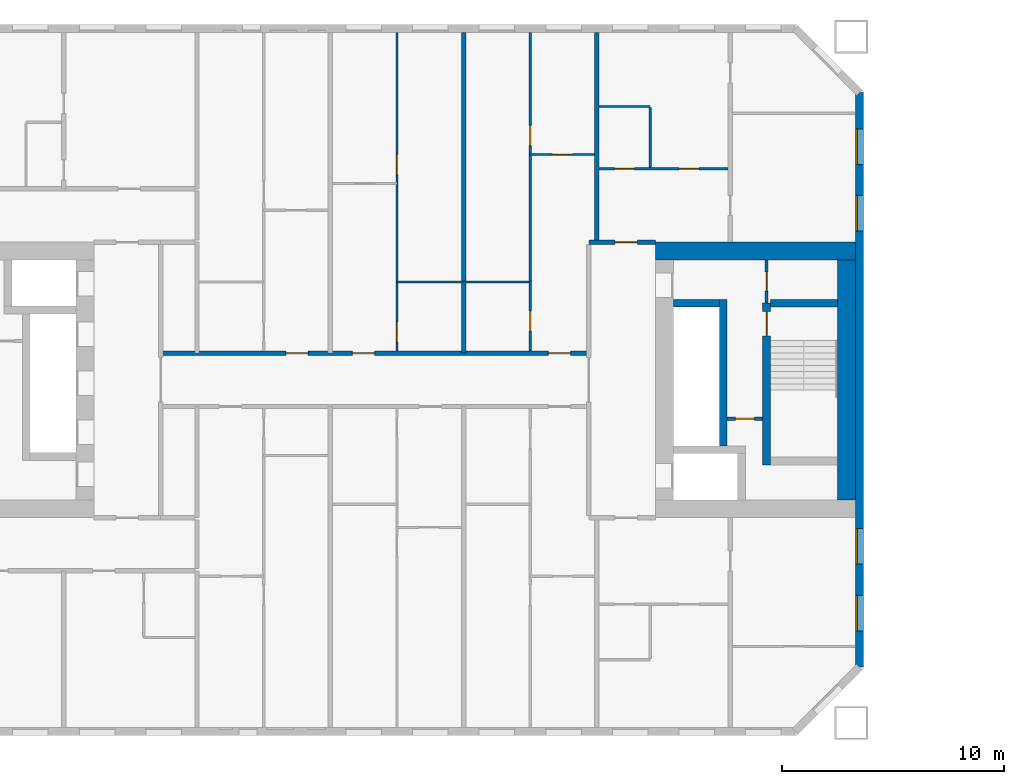
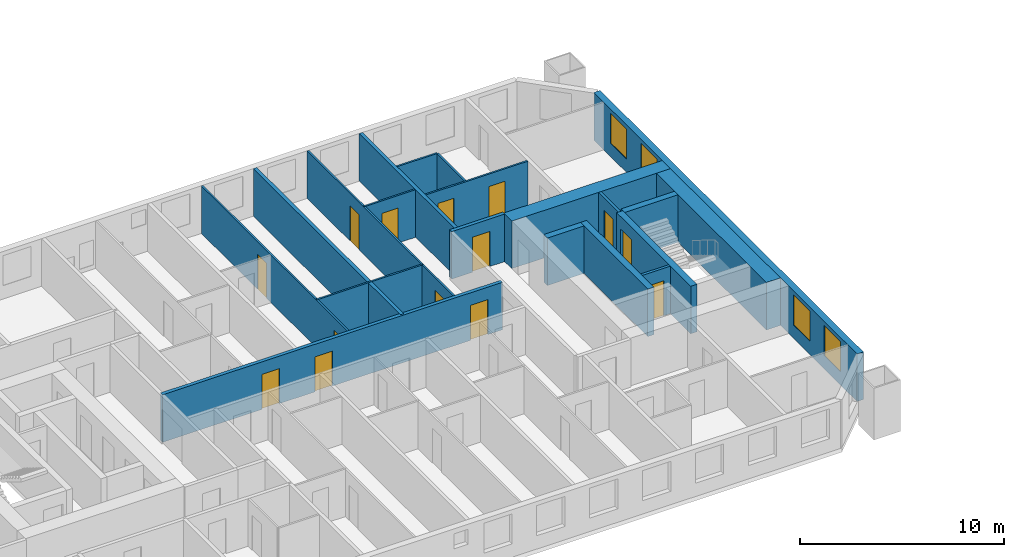
# One storey, part 7 of 16: 20 walls, 14 doors, 4 windows, 18 openings.
"""IFC4 building model written with IfcOpenShell, lengths in metres."""

import ifcopenshell
import ifcopenshell.guid

model = None  # the IFC model being written
_history = None  # IfcOwnerHistory: only IFC2X3 demands one
_inside = {}  # id of a spatial element -> (the spatial element, [elements in it])
_under = {}  # id of a project, library or spatial element -> (it, [spatial elements below it])
_declared = {}  # id of a project -> (the project, [libraries it declares])
_typed = {}  # id of a type object -> (the type object, [elements of that type])
_made_of = {}  # id of a material, layer set ... -> (it, [elements and type objects made of it])


def new_model(schema):
    """Start an empty IFC model of exactly this schema.

    Asked for "IFC4X3", IfcOpenShell would pick the latest addendum, in which some entities
    have other attributes; the version numbers below select the first issue.
    IFC2X3 requires an IfcOwnerHistory on every rooted entity: one is made here for all.
    """
    global model, _history
    if schema == "IFC4X3":
        model = ifcopenshell.file(schema_version=(4, 3, 0, 0))
    else:
        model = ifcopenshell.file(schema=schema)
    _inside.clear()
    _under.clear()
    _declared.clear()
    _typed.clear()
    _made_of.clear()
    _history = None
    if model.schema == "IFC2X3":
        org = make("IfcOrganization", Name="unknown")
        user = make(
            "IfcPersonAndOrganization",
            ThePerson=make("IfcPerson", FamilyName="unknown"),
            TheOrganization=org,
        )
        app = make(
            "IfcApplication",
            ApplicationDeveloper=org,
            Version="unknown",
            ApplicationFullName="unknown",
            ApplicationIdentifier="unknown",
        )
        _history = make(
            "IfcOwnerHistory",
            OwningUser=user,
            OwningApplication=app,
            ChangeAction="ADDED",
            CreationDate=0,
        )
    return model


def make(cls, **values):
    """One entity of the class cls with the attributes given. An attribute that is None is left unset."""
    return model.create_entity(
        cls, **{name: value for name, value in values.items() if value is not None}
    )


def rooted(cls, **values):
    """An entity with a GlobalId (a new one), such as an element, a storey or a relation."""
    return make(cls, GlobalId=ifcopenshell.guid.new(), OwnerHistory=_history, **values)


def si_unit(unit_type, name, prefix=None):
    """IfcSIUnit, for example si_unit("LENGTHUNIT", "METRE", prefix="MILLI")."""
    return make("IfcSIUnit", UnitType=unit_type, Prefix=prefix, Name=name)


def assignment(units):
    """IfcUnitAssignment: the units of a project."""
    return None if units is None else make("IfcUnitAssignment", Units=units)


def point(xyz):
    """IfcCartesianPoint."""
    return None if xyz is None else make("IfcCartesianPoint", Coordinates=xyz)


def direction(xyz):
    """IfcDirection."""
    return None if xyz is None else make("IfcDirection", DirectionRatios=xyz)


def frame(location, z_axis=None, x_axis=None):
    """IfcAxis2Placement3D, a coordinate frame: its origin and axes. An axis left out is left unset."""
    return make(
        "IfcAxis2Placement3D",
        Location=point(location),
        Axis=direction(z_axis),
        RefDirection=direction(x_axis),
    )


def frame_2d(location, x_axis=None):
    """IfcAxis2Placement2D, a coordinate frame in the plane: its origin and x axis."""
    return make(
        "IfcAxis2Placement2D", Location=point(location), RefDirection=direction(x_axis)
    )


def origin():
    """The frame at (0, 0, 0) with its axes left unset."""
    return frame((0.0, 0.0, 0.0))


def place(relative_to, where):
    """IfcLocalPlacement: puts the frame where relative to a parent placement (None: the world)."""
    return make(
        "IfcLocalPlacement", PlacementRelTo=relative_to, RelativePlacement=where
    )


def context(
    kind, dimensions, precision=None, world=None, true_north=None, identifier=None
):
    """IfcGeometricRepresentationContext, for example the 3D "Model" context."""
    return make(
        "IfcGeometricRepresentationContext",
        ContextIdentifier=identifier,
        ContextType=kind,
        CoordinateSpaceDimension=dimensions,
        Precision=precision,
        WorldCoordinateSystem=world,
        TrueNorth=true_north,
    )


def subcontext(parent, identifier, kind, view, scale=None):
    """IfcGeometricRepresentationSubContext, for example "Body" below "Model"."""
    return make(
        "IfcGeometricRepresentationSubContext",
        ContextIdentifier=identifier,
        ContextType=kind,
        ParentContext=parent,
        TargetScale=scale,
        TargetView=view,
    )


def project(units=None, contexts=None):
    """IfcProject with its units and contexts."""
    return rooted(
        "IfcProject",
        Name="project",
        RepresentationContexts=contexts,
        UnitsInContext=assignment(units),
    )


def spatial(cls, under=None, at=None, **own):
    """A site, building, storey or space (cls), placed at a placement, below another one or the project."""
    s = rooted(cls, ObjectPlacement=at, **own)
    if under is not None:
        _under.setdefault(under.id(), (under, []))[1].append(s)
    return s


def profile(cls, at=None, kind="AREA", **sizes):
    """A parametric profile (cls). Its sizes go by their IFC names, for example OverallWidth=200.0."""
    return make(cls, ProfileType=kind, Position=at, **sizes)


def rectangle(**sizes):
    """IfcRectangleProfileDef."""
    return profile("IfcRectangleProfileDef", **sizes)


def extrude(swept, where, along, depth):
    """IfcExtrudedAreaSolid: the profile swept, set in the frame where, extruded along a direction by depth."""
    return make(
        "IfcExtrudedAreaSolid",
        SweptArea=swept,
        Position=where,
        ExtrudedDirection=direction(along),
        Depth=depth,
    )


def shape(context_of_items, identifier, shape_type, items):
    """IfcShapeRepresentation: the items that make up one representation, for example the "Body"."""
    return make(
        "IfcShapeRepresentation",
        ContextOfItems=context_of_items,
        RepresentationIdentifier=identifier,
        RepresentationType=shape_type,
        Items=items,
    )


def material(Name=None, Category=None):
    """IfcMaterial."""
    return make("IfcMaterial", Name=Name, Category=Category)


def layer(
    of_material, thickness, ventilated=None, Name=None, Category=None, Priority=None
):
    """IfcMaterialLayer: one layer of a wall or slab, of a material (None: an air gap)."""
    return make(
        "IfcMaterialLayer",
        Material=of_material,
        LayerThickness=thickness,
        IsVentilated=ventilated,
        Name=Name,
        Category=Category,
        Priority=Priority,
    )


def layer_set(layers, Name=None):
    """IfcMaterialLayerSet."""
    return make("IfcMaterialLayerSet", MaterialLayers=layers, LayerSetName=Name)


def made_of(thing, what):
    """Note that an element or type object is made of a material, layer set ...; save() writes the relation."""
    if what is not None:
        _made_of.setdefault(what.id(), (what, []))[1].append(thing)
    return thing


def type_object(cls, material=None, **own):
    """A type object (cls), such as IfcWallType, which elements share."""
    return made_of(rooted(cls, **own), material)


def element(
    cls,
    number,
    at=None,
    inside=None,
    cuts=None,
    type_object=None,
    material=None,
    context=None,
    identifier="Body",
    shape_type=None,
    held_by="IfcProductDefinitionShape",
    body=None,
    shapes=None,
    **own,
):
    """One element of the class cls, such as IfcWall. Its Tag is "e" and its number.

    at: its placement. inside: the storey or other place that contains it. cuts: it is an
    opening in that element (IfcRelVoidsElement). A single representation is given by context,
    identifier, shape_type and body (its items); several are given by shapes. held_by: the class
    of the entity that holds the representations. save() writes the other relations.
    """
    e = rooted(cls, Tag="e%d" % number, ObjectPlacement=at, **own)
    if body is not None:
        shapes = [shape(context, identifier, shape_type, body)]
    if shapes is not None:
        e.Representation = make(held_by, Representations=shapes)
    if inside is not None:
        _inside.setdefault(inside.id(), (inside, []))[1].append(e)
    if cuts is not None:
        rooted(
            "IfcRelVoidsElement", RelatingBuildingElement=cuts, RelatedOpeningElement=e
        )
    if type_object is not None:
        _typed.setdefault(type_object.id(), (type_object, []))[1].append(e)
    return made_of(e, material)


def fill(opening, filler):
    """IfcRelFillsElement: the door or window that sits in an opening."""
    return rooted(
        "IfcRelFillsElement",
        RelatingOpeningElement=opening,
        RelatedBuildingElement=filler,
    )


def aggregate(whole, parts):
    """IfcRelAggregates: a whole, such as a stair, and the parts it consists of."""
    return rooted("IfcRelAggregates", RelatingObject=whole, RelatedObjects=parts)


def save(model, path):
    """Write the relations noted so far, then the file.

    IfcRelAggregates (storeys below a building ...), IfcRelContainedInSpatialStructure (elements
    in a storey), IfcRelDefinesByType, IfcRelAssociatesMaterial and IfcRelDeclares: one each for
    every whole, place, type object, material and project.
    """
    for whole, parts in _under.values():
        aggregate(whole, parts)
    for where, things in _inside.values():
        rooted(
            "IfcRelContainedInSpatialStructure",
            RelatedElements=things,
            RelatingStructure=where,
        )
    for kind, things in _typed.values():
        rooted("IfcRelDefinesByType", RelatedObjects=things, RelatingType=kind)
    for what, things in _made_of.values():
        rooted("IfcRelAssociatesMaterial", RelatedObjects=things, RelatingMaterial=what)
    for by, libraries in _declared.values():
        rooted("IfcRelDeclares", RelatingContext=by, RelatedDefinitions=libraries)
    model.write(path)


model = new_model("IFC4")

# Units and contexts
model_context = context("Model", 3, precision=1e-05, world=origin(), true_north=direction((0.0, 1.0)))
body_context = subcontext(model_context, "Body", "Model", "MODEL_VIEW")
ifc_project = project(units=[si_unit("LENGTHUNIT", "METRE"), si_unit("AREAUNIT", "SQUARE_METRE"), si_unit("VOLUMEUNIT", "CUBIC_METRE"), si_unit("PLANEANGLEUNIT", "RADIAN"), si_unit("MASSUNIT", "GRAM", prefix="KILO")], contexts=[model_context])

# Site, building, storey
site_placement = place(None, origin())
site = spatial("IfcSite", under=ifc_project, at=site_placement, CompositionType="ELEMENT")
building_placement = place(site_placement, origin())
building = spatial("IfcBuilding", under=site, at=building_placement, Name="Tuart Gate Housing", CompositionType="ELEMENT")
storey_placement = place(building_placement, frame((0.0, 0.0, 59.800048828125)))
storey = spatial("IfcBuildingStorey", under=building, at=storey_placement, Name="L16", CompositionType="ELEMENT", Elevation=59.800048828125)

# Wall, openings, windows
ifc_material_1 = material(Name="Brick", Category="masonry")
ifc_layer_1 = layer(ifc_material_1, 0.360107421875)
ifc_layer_set_1 = layer_set([ifc_layer_1], Name="Brick pier and spandrel wall 360")
wall_type_1 = type_object("IfcWallType", Name="Brick pier and spandrel wall 360", PredefinedType="STANDARD", material=ifc_layer_set_1)
wall_1_placement = place(storey_placement, frame((75.820068359375, 57.07470703125, 0.0), z_axis=(0.0, 0.0, 1.0), x_axis=(0.0, 1.0, 0.0)))
wall_1 = element("IfcWall", 1, at=wall_1_placement, inside=storey, type_object=wall_type_1, Name="External wall A-E L16", PredefinedType="STANDARD", context=body_context, shape_type="SweptSolid", body=[
    extrude(rectangle(XDim=25.850830078125, YDim=0.360107421875, at=frame_2d((12.92529296875, 0.0))), origin(), (0.0, 0.0, 1.0), 2.849853515625),
])
opening_1_placement = place(wall_1_placement, frame((1.62548828125, 0.0, 0.800048828125)))
opening_1 = element("IfcOpeningElement", 2, at=opening_1_placement, cuts=wall_1, Name="Opening W1", PredefinedType="OPENING", context=body_context, shape_type="SweptSolid", body=[
    extrude(rectangle(XDim=1.60009765625, YDim=1.800048828125, at=frame_2d((0.800048828125, 0.89990234375))), frame((0.0, 0.18994140625, 0.0), z_axis=(0.0, -1.0, 0.0), x_axis=(1.0, 0.0, 0.0)), (0.0, 0.0, 1.0), 0.380126953125),
])
opening_2_placement = place(wall_1_placement, frame((4.62548828125, 0.0, 0.800048828125)))
opening_2 = element("IfcOpeningElement", 3, at=opening_2_placement, cuts=wall_1, Name="Opening W1", PredefinedType="OPENING", context=body_context, shape_type="SweptSolid", body=[
    extrude(rectangle(XDim=1.60009765625, YDim=1.800048828125, at=frame_2d((0.800048828125, 0.89990234375))), frame((0.0, 0.18994140625, 0.0), z_axis=(0.0, -1.0, 0.0), x_axis=(1.0, 0.0, 0.0)), (0.0, 0.0, 1.0), 0.380126953125),
])
opening_3_placement = place(wall_1_placement, frame((19.62548828125, 0.0, 0.800048828125)))
opening_3 = element("IfcOpeningElement", 4, at=opening_3_placement, cuts=wall_1, Name="Opening W1", PredefinedType="OPENING", context=body_context, shape_type="SweptSolid", body=[
    extrude(rectangle(XDim=1.60009765625, YDim=1.800048828125, at=frame_2d((0.800048828125, 0.89990234375))), frame((0.0, 0.18994140625, 0.0), z_axis=(0.0, -1.0, 0.0), x_axis=(1.0, 0.0, 0.0)), (0.0, 0.0, 1.0), 0.380126953125),
])
opening_4_placement = place(wall_1_placement, frame((22.62548828125, 0.0, 0.800048828125)))
opening_4 = element("IfcOpeningElement", 5, at=opening_4_placement, cuts=wall_1, Name="Opening W1", PredefinedType="OPENING", context=body_context, shape_type="SweptSolid", body=[
    extrude(rectangle(XDim=1.60009765625, YDim=1.800048828125, at=frame_2d((0.800048828125, 0.89990234375))), frame((0.0, 0.18994140625, 0.0), z_axis=(0.0, -1.0, 0.0), x_axis=(1.0, 0.0, 0.0)), (0.0, 0.0, 1.0), 0.380126953125),
])
ifc_material_2 = material(Name="Aluminium frame with clear glass", Category="aluminium")
window_type = type_object("IfcWindowType", Name="Punched window 1600 x 1800", PartitioningType="SINGLE_PANEL", PredefinedType="WINDOW", material=ifc_material_2)
window_1_placement = place(opening_1_placement, origin())
window_1 = element("IfcWindow", 6, at=window_1_placement, inside=storey, type_object=window_type, Name="Window W1", OverallHeight=1.800048828125, OverallWidth=1.60009765625, PartitioningType="SINGLE_PANEL", PredefinedType="WINDOW", context=body_context, shape_type="SweptSolid", body=[
    extrude(rectangle(XDim=1.60009765625, YDim=1.800048828125, at=frame_2d((0.800048828125, 0.89990234375))), frame((0.0, 0.150146484375, 0.0), z_axis=(0.0, -1.0, 0.0), x_axis=(1.0, 0.0, 0.0)), (0.0, 0.0, 1.0), 0.06005859375),
])
fill(opening_1, window_1)
window_2_placement = place(opening_2_placement, origin())
window_2 = element("IfcWindow", 7, at=window_2_placement, inside=storey, type_object=window_type, Name="Window W1", OverallHeight=1.800048828125, OverallWidth=1.60009765625, PartitioningType="SINGLE_PANEL", PredefinedType="WINDOW", context=body_context, shape_type="SweptSolid", body=[
    extrude(rectangle(XDim=1.60009765625, YDim=1.800048828125, at=frame_2d((0.800048828125, 0.89990234375))), frame((0.0, 0.150146484375, 0.0), z_axis=(0.0, -1.0, 0.0), x_axis=(1.0, 0.0, 0.0)), (0.0, 0.0, 1.0), 0.06005859375),
])
fill(opening_2, window_2)
window_3_placement = place(opening_3_placement, origin())
window_3 = element("IfcWindow", 8, at=window_3_placement, inside=storey, type_object=window_type, Name="Window W1", OverallHeight=1.800048828125, OverallWidth=1.60009765625, PartitioningType="SINGLE_PANEL", PredefinedType="WINDOW", context=body_context, shape_type="SweptSolid", body=[
    extrude(rectangle(XDim=1.60009765625, YDim=1.800048828125, at=frame_2d((0.800048828125, 0.89990234375))), frame((0.0, 0.150146484375, 0.0), z_axis=(0.0, -1.0, 0.0), x_axis=(1.0, 0.0, 0.0)), (0.0, 0.0, 1.0), 0.06005859375),
])
fill(opening_3, window_3)
window_4_placement = place(opening_4_placement, origin())
window_4 = element("IfcWindow", 9, at=window_4_placement, inside=storey, type_object=window_type, Name="Window W1", OverallHeight=1.800048828125, OverallWidth=1.60009765625, PartitioningType="SINGLE_PANEL", PredefinedType="WINDOW", context=body_context, shape_type="SweptSolid", body=[
    extrude(rectangle(XDim=1.60009765625, YDim=1.800048828125, at=frame_2d((0.800048828125, 0.89990234375))), frame((0.0, 0.150146484375, 0.0), z_axis=(0.0, -1.0, 0.0), x_axis=(1.0, 0.0, 0.0)), (0.0, 0.0, 1.0), 0.06005859375),
])
fill(opening_4, window_4)

# Wall, opening, door
ifc_material_3 = material(Name="Plasterboard partition")
ifc_layer_2 = layer(ifc_material_3, 0.14990234375)
ifc_layer_set_2 = layer_set([ifc_layer_2], Name="Core partition 150")
wall_type_2 = type_object("IfcWallType", Name="Core partition 150", PredefinedType="PARTITIONING", material=ifc_layer_set_2)
wall_2_placement = place(storey_placement, frame((69.864990234375, 68.25, 0.0), z_axis=(0.0, 0.0, 1.0), x_axis=(1.0, 0.0, 0.0)))
wall_2 = element("IfcWall", 10, at=wall_2_placement, inside=storey, type_object=wall_type_2, Name="Core partition AG.3", PredefinedType="PARTITIONING", context=body_context, shape_type="SweptSolid", body=[
    extrude(rectangle(XDim=1.60009765625, YDim=0.14990234375, at=frame_2d((0.800048828125, 0.0))), origin(), (0.0, 0.0, 1.0), 2.849853515625),
])
opening_5_placement = place(wall_2_placement, frame((0.375, 0.0, 0.0)))
opening_5 = element("IfcOpeningElement", 11, at=opening_5_placement, cuts=wall_2, Name="Opening D752", PredefinedType="OPENING", context=body_context, shape_type="SweptSolid", body=[
    extrude(rectangle(XDim=0.85009765625, YDim=2.10009765625, at=frame_2d((0.425048828125, 1.050048828125))), frame((0.0, 0.0849609375, 0.0), z_axis=(0.0, -1.0, 0.0), x_axis=(1.0, 0.0, 0.0)), (0.0, 0.0, 1.0), 0.169921875),
])
ifc_material_4 = material(Name="Steel fire door", Category="steel")
door_type_1 = type_object("IfcDoorType", Name="Riser door 850 x 2100 RH", OperationType="SINGLE_SWING_RIGHT", PredefinedType="DOOR", material=ifc_material_4)
door_1_placement = place(opening_5_placement, frame((0.85009765625, 0.0, 0.0), z_axis=(0.0, 0.0, 1.0), x_axis=(-1.0, 0.0, 0.0)))
door_1 = element("IfcDoor", 12, at=door_1_placement, inside=storey, type_object=door_type_1, Name="Service room door AG.E1", OperationType="SINGLE_SWING_RIGHT", OverallHeight=2.10009765625, OverallWidth=0.85009765625, PredefinedType="DOOR", context=body_context, shape_type="SweptSolid", body=[
    extrude(rectangle(XDim=0.85009765625, YDim=2.10009765625, at=frame_2d((0.425048828125, 1.050048828125))), frame((0.0, 0.025146484375, 0.0), z_axis=(0.0, -1.0, 0.0), x_axis=(1.0, 0.0, 0.0)), (0.0, 0.0, 1.0), 0.050048828125),
])
fill(opening_5, door_1)

wall_3_placement = place(storey_placement, frame((71.639892578125, 73.449951171875, 0.0), z_axis=(0.0, 0.0, 1.0), x_axis=(0.0, 1.0, 0.0)))
wall_3 = element("IfcWall", 13, at=wall_3_placement, inside=storey, type_object=wall_type_2, Name="Core partition AG.9", PredefinedType="PARTITIONING", context=body_context, shape_type="SweptSolid", body=[
    extrude(rectangle(XDim=1.949951171875, YDim=0.14990234375, at=frame_2d((0.97509765625, 0.0))), origin(), (0.0, 0.0, 1.0), 2.849853515625),
])
opening_6_placement = place(wall_3_placement, frame((0.550048828125, 0.0, 0.0)))
opening_6 = element("IfcOpeningElement", 14, at=opening_6_placement, cuts=wall_3, Name="Opening D737", PredefinedType="OPENING", context=body_context, shape_type="SweptSolid", body=[
    extrude(rectangle(XDim=0.85009765625, YDim=2.10009765625, at=frame_2d((0.425048828125, 1.050048828125))), frame((0.0, 0.0849609375, 0.0), z_axis=(0.0, -1.0, 0.0), x_axis=(1.0, 0.0, 0.0)), (0.0, 0.0, 1.0), 0.169921875),
])
ifc_material_5 = material(Name="Steel fire door", Category="steel")
door_type_2 = type_object("IfcDoorType", Name="Service door 850 x 2100 RH", OperationType="SINGLE_SWING_RIGHT", PredefinedType="DOOR", material=ifc_material_5)
door_2_placement = place(opening_6_placement, frame((0.85009765625, 0.0, 0.0), z_axis=(0.0, 0.0, 1.0), x_axis=(-1.0, 0.0, 0.0)))
door_2 = element("IfcDoor", 15, at=door_2_placement, inside=storey, type_object=door_type_2, Name="Service room door AG.ST", OperationType="SINGLE_SWING_RIGHT", OverallHeight=2.10009765625, OverallWidth=0.85009765625, PredefinedType="DOOR", context=body_context, shape_type="SweptSolid", body=[
    extrude(rectangle(XDim=0.85009765625, YDim=2.10009765625, at=frame_2d((0.425048828125, 1.050048828125))), frame((0.0, 0.025146484375, 0.0), z_axis=(0.0, -1.0, 0.0), x_axis=(1.0, 0.0, 0.0)), (0.0, 0.0, 1.0), 0.050048828125),
])
fill(opening_6, door_2)

# Walls
ifc_material_6 = material(Name="Concrete C60", Category="concrete")
ifc_layer_3 = layer(ifc_material_6, 0.35009765625)
ifc_layer_set_3 = layer_set([ifc_layer_3], Name="Core wall 350 C60")
wall_type_3 = type_object("IfcWallType", Name="Core wall 350 C60", PredefinedType="SHEAR", material=ifc_layer_set_3)
wall_4_placement = place(storey_placement, frame((67.43994140625, 73.449951171875, 0.0), z_axis=(0.0, 0.0, 1.0), x_axis=(1.0, 0.0, 0.0)))
element("IfcWall", 16, at=wall_4_placement, inside=storey, type_object=wall_type_3, Name="Core wall AG.4", PredefinedType="SHEAR", context=body_context, shape_type="SweptSolid", body=[
    extrude(rectangle(XDim=2.074951171875, YDim=0.35009765625, at=frame_2d((1.03759765625, 0.0))), origin(), (0.0, 0.0, 1.0), 2.849853515625),
])
wall_5_placement = place(storey_placement, frame((71.81494140625, 73.449951171875, 0.0), z_axis=(0.0, 0.0, 1.0), x_axis=(1.0, 0.0, 0.0)))
element("IfcWall", 17, at=wall_5_placement, inside=storey, type_object=wall_type_3, Name="Core wall AG.5", PredefinedType="SHEAR", context=body_context, shape_type="SweptSolid", body=[
    extrude(rectangle(XDim=3.025146484375, YDim=0.35009765625, at=frame_2d((1.5126953125, 0.0))), origin(), (0.0, 0.0, 1.0), 2.849853515625),
])
wall_6_placement = place(storey_placement, frame((69.68994140625, 67.02490234375, 0.0), z_axis=(0.0, 0.0, 1.0), x_axis=(0.0, 1.0, 0.0)))
element("IfcWall", 18, at=wall_6_placement, inside=storey, type_object=wall_type_3, Name="Core wall AG.6", PredefinedType="SHEAR", context=body_context, shape_type="SweptSolid", body=[
    extrude(rectangle(XDim=6.60009765625, YDim=0.35009765625, at=frame_2d((3.300048828125, 0.0))), origin(), (0.0, 0.0, 1.0), 2.849853515625),
])

# Wall, opening, door
wall_7_placement = place(storey_placement, frame((71.639892578125, 66.175048828125, 0.0), z_axis=(0.0, 0.0, 1.0), x_axis=(0.0, 1.0, 0.0)))
wall_7 = element("IfcWall", 19, at=wall_7_placement, inside=storey, type_object=wall_type_3, Name="Core wall AG.8", PredefinedType="SHEAR", context=body_context, shape_type="SweptSolid", body=[
    extrude(rectangle(XDim=7.27490234375, YDim=0.35009765625, at=frame_2d((3.637451171875, 0.0))), origin(), (0.0, 0.0, 1.0), 2.849853515625),
])
opening_7_placement = place(wall_7_placement, frame((5.800048828125, 0.0, 0.0)))
opening_7 = element("IfcOpeningElement", 20, at=opening_7_placement, cuts=wall_7, Name="Opening D748", PredefinedType="OPENING", context=body_context, shape_type="SweptSolid", body=[
    extrude(rectangle(XDim=1.10009765625, YDim=2.10009765625, at=frame_2d((0.550048828125, 1.050048828125))), frame((0.0, 0.18505859375, 0.0), z_axis=(0.0, -1.0, 0.0), x_axis=(1.0, 0.0, 0.0)), (0.0, 0.0, 1.0), 0.3701171875),
])
ifc_material_7 = material(Name="Steel fire door", Category="steel")
door_type_3 = type_object("IfcDoorType", Name="Stair door 1100 x 2100", OperationType="SINGLE_SWING_LEFT", PredefinedType="DOOR", material=ifc_material_7)
door_3_placement = place(opening_7_placement, frame((1.10009765625, 0.0, 0.0), z_axis=(0.0, 0.0, 1.0), x_axis=(-1.0, 0.0, 0.0)))
door_3 = element("IfcDoor", 21, at=door_3_placement, inside=storey, type_object=door_type_3, Name="Stair door AG.SD", OperationType="SINGLE_SWING_LEFT", OverallHeight=2.10009765625, OverallWidth=1.10009765625, PredefinedType="DOOR", context=body_context, shape_type="SweptSolid", body=[
    extrude(rectangle(XDim=1.10009765625, YDim=2.10009765625, at=frame_2d((0.550048828125, 1.050048828125))), frame((0.0, 0.025146484375, 0.0), z_axis=(0.0, -1.0, 0.0), x_axis=(1.0, 0.0, 0.0)), (0.0, 0.0, 1.0), 0.050048828125),
])
fill(opening_7, door_3)

# Walls
ifc_material_8 = material(Name="Concrete C60", Category="concrete")
ifc_layer_4 = layer(ifc_material_8, 0.800048828125)
ifc_layer_set_4 = layer_set([ifc_layer_4], Name="Core wall 800 C60")
wall_type_4 = type_object("IfcWallType", Name="Core wall 800 C60", PredefinedType="SHEAR", material=ifc_layer_set_4)
wall_8_placement = place(storey_placement, frame((75.239990234375, 64.60009765625, 0.0), z_axis=(0.0, 0.0, 1.0), x_axis=(0.0, 1.0, 0.0)))
element("IfcWall", 22, at=wall_8_placement, inside=storey, type_object=wall_type_4, Name="Core wall AG back", PredefinedType="SHEAR", context=body_context, shape_type="SweptSolid", body=[
    extrude(rectangle(XDim=10.7998046875, YDim=0.800048828125, at=frame_2d((5.39990234375, 0.0))), origin(), (0.0, 0.0, 1.0), 2.849853515625),
])
wall_9_placement = place(storey_placement, frame((66.639892578125, 75.800048828125, 0.0), z_axis=(0.0, 0.0, 1.0), x_axis=(1.0, 0.0, 0.0)))
element("IfcWall", 23, at=wall_9_placement, inside=storey, type_object=wall_type_4, Name="Core wall AG north", PredefinedType="SHEAR", context=body_context, shape_type="SweptSolid", body=[
    extrude(rectangle(XDim=9.0, YDim=0.800048828125, at=frame_2d((4.5, 0.0))), origin(), (0.0, 0.0, 1.0), 2.849853515625),
])

# Wall, openings, doors
ifc_material_9 = material(Name="Concrete masonry 15 MPa", Category="masonry")
ifc_layer_5 = layer(ifc_material_9, 0.199951171875)
ifc_layer_set_5 = layer_set([ifc_layer_5], Name="Corridor wall masonry 200")
wall_type_5 = type_object("IfcWallType", Name="Corridor wall masonry 200", PredefinedType="PARTITIONING", material=ifc_layer_set_5)
wall_10_placement = place(storey_placement, frame((44.360107421875, 71.199951171875, 0.0), z_axis=(0.0, 0.0, 1.0), x_axis=(1.0, 0.0, 0.0)))
wall_10 = element("IfcWall", 24, at=wall_10_placement, inside=storey, type_object=wall_type_5, Name="Corridor wall masonry 200", PredefinedType="PARTITIONING", context=body_context, shape_type="SweptSolid", body=[
    extrude(rectangle(XDim=19.27978515625, YDim=0.199951171875, at=frame_2d((9.639892578125, 0.0))), origin(), (0.0, 0.0, 1.0), 2.849853515625),
])
opening_8_placement = place(wall_10_placement, frame((17.4599609375, 0.0, 0.0)))
opening_8 = element("IfcOpeningElement", 25, at=opening_8_placement, cuts=wall_10, Name="Opening D739", PredefinedType="OPENING", context=body_context, shape_type="SweptSolid", body=[
    extrude(rectangle(XDim=1.0, YDim=2.10009765625, at=frame_2d((0.5, 1.050048828125))), frame((0.0, 0.10986328125, 0.0), z_axis=(0.0, -1.0, 0.0), x_axis=(1.0, 0.0, 0.0)), (0.0, 0.0, 1.0), 0.219970703125),
])
opening_9_placement = place(wall_10_placement, frame((8.639892578125, 0.0, 0.0)))
opening_9 = element("IfcOpeningElement", 26, at=opening_9_placement, cuts=wall_10, Name="Opening D740", PredefinedType="OPENING", context=body_context, shape_type="SweptSolid", body=[
    extrude(rectangle(XDim=1.0, YDim=2.10009765625, at=frame_2d((0.5, 1.050048828125))), frame((0.0, 0.10986328125, 0.0), z_axis=(0.0, -1.0, 0.0), x_axis=(1.0, 0.0, 0.0)), (0.0, 0.0, 1.0), 0.219970703125),
])
opening_10_placement = place(wall_10_placement, frame((5.639892578125, 0.0, 0.0)))
opening_10 = element("IfcOpeningElement", 27, at=opening_10_placement, cuts=wall_10, Name="Opening D741", PredefinedType="OPENING", context=body_context, shape_type="SweptSolid", body=[
    extrude(rectangle(XDim=1.0, YDim=2.10009765625, at=frame_2d((0.5, 1.050048828125))), frame((0.0, 0.10986328125, 0.0), z_axis=(0.0, -1.0, 0.0), x_axis=(1.0, 0.0, 0.0)), (0.0, 0.0, 1.0), 0.219970703125),
])
ifc_material_10 = material(Name="Timber door leaf in steel frame", Category="steel")
door_type_4 = type_object("IfcDoorType", Name="Flat entrance door 1000", OperationType="SINGLE_SWING_LEFT", PredefinedType="DOOR", material=ifc_material_10)
door_4_placement = place(opening_8_placement, origin())
door_4 = element("IfcDoor", 28, at=door_4_placement, inside=storey, type_object=door_type_4, Name="Flat entrance door", OperationType="SINGLE_SWING_LEFT", OverallHeight=2.10009765625, OverallWidth=1.0, PredefinedType="DOOR", context=body_context, shape_type="SweptSolid", body=[
    extrude(rectangle(XDim=1.0, YDim=2.10009765625, at=frame_2d((0.5, 1.050048828125))), frame((0.0, 0.02490234375, 0.0), z_axis=(0.0, -1.0, 0.0), x_axis=(1.0, 0.0, 0.0)), (0.0, 0.0, 1.0), 0.050048828125),
])
fill(opening_8, door_4)
door_5_placement = place(opening_9_placement, origin())
door_5 = element("IfcDoor", 29, at=door_5_placement, inside=storey, type_object=door_type_4, Name="Flat entrance door", OperationType="SINGLE_SWING_LEFT", OverallHeight=2.10009765625, OverallWidth=1.0, PredefinedType="DOOR", context=body_context, shape_type="SweptSolid", body=[
    extrude(rectangle(XDim=1.0, YDim=2.10009765625, at=frame_2d((0.5, 1.050048828125))), frame((0.0, 0.02490234375, 0.0), z_axis=(0.0, -1.0, 0.0), x_axis=(1.0, 0.0, 0.0)), (0.0, 0.0, 1.0), 0.050048828125),
])
fill(opening_9, door_5)
door_6_placement = place(opening_10_placement, origin())
door_6 = element("IfcDoor", 30, at=door_6_placement, inside=storey, type_object=door_type_4, Name="Flat entrance door", OperationType="SINGLE_SWING_LEFT", OverallHeight=2.10009765625, OverallWidth=1.0, PredefinedType="DOOR", context=body_context, shape_type="SweptSolid", body=[
    extrude(rectangle(XDim=1.0, YDim=2.10009765625, at=frame_2d((0.5, 1.050048828125))), frame((0.0, 0.02490234375, 0.0), z_axis=(0.0, -1.0, 0.0), x_axis=(1.0, 0.0, 0.0)), (0.0, 0.0, 1.0), 0.050048828125),
])
fill(opening_10, door_6)

# Wall, opening, door
ifc_material_11 = material(Name="Concrete masonry 15 MPa", Category="masonry")
ifc_layer_6 = layer(ifc_material_11, 0.199951171875)
ifc_layer_set_6 = layer_set([ifc_layer_6], Name="Enclosure wall masonry 200")
wall_type_6 = type_object("IfcWallType", Name="Enclosure wall masonry 200", PredefinedType="PARTITIONING", material=ifc_layer_set_6)
wall_11_placement = place(storey_placement, frame((63.639892578125, 76.199951171875, 0.0), z_axis=(0.0, 0.0, 1.0), x_axis=(1.0, 0.0, 0.0)))
wall_11 = element("IfcWall", 31, at=wall_11_placement, inside=storey, type_object=wall_type_6, Name="Enclosure wall masonry 200", PredefinedType="PARTITIONING", context=body_context, shape_type="SweptSolid", body=[
    extrude(rectangle(XDim=3.0, YDim=0.199951171875, at=frame_2d((1.5, 0.0))), origin(), (0.0, 0.0, 1.0), 2.849853515625),
])
opening_11_placement = place(wall_11_placement, frame((1.179931640625, 0.0, 0.0)))
opening_11 = element("IfcOpeningElement", 32, at=opening_11_placement, cuts=wall_11, Name="Opening D736", PredefinedType="OPENING", context=body_context, shape_type="SweptSolid", body=[
    extrude(rectangle(XDim=1.0, YDim=2.10009765625, at=frame_2d((0.5, 1.050048828125))), frame((0.0, 0.10986328125, 0.0), z_axis=(0.0, -1.0, 0.0), x_axis=(1.0, 0.0, 0.0)), (0.0, 0.0, 1.0), 0.219970703125),
])
door_7_placement = place(opening_11_placement, origin())
door_7 = element("IfcDoor", 33, at=door_7_placement, inside=storey, type_object=door_type_4, Name="Flat entrance door", OperationType="SINGLE_SWING_LEFT", OverallHeight=2.10009765625, OverallWidth=1.0, PredefinedType="DOOR", context=body_context, shape_type="SweptSolid", body=[
    extrude(rectangle(XDim=1.0, YDim=2.10009765625, at=frame_2d((0.5, 1.050048828125))), frame((0.0, 0.02490234375, 0.0), z_axis=(0.0, -1.0, 0.0), x_axis=(1.0, 0.0, 0.0)), (0.0, 0.0, 1.0), 0.050048828125),
])
fill(opening_11, door_7)

# Wall
ifc_material_12 = material(Name="Gypsum board on steel studs", Category="steel")
ifc_layer_7 = layer(ifc_material_12, 0.10009765625)
ifc_layer_set_7 = layer_set([ifc_layer_7], Name="Partition 100")
wall_type_7 = type_object("IfcWallType", Name="Partition 100", PredefinedType="PARTITIONING", material=ifc_layer_set_7)
wall_12_placement = place(storey_placement, frame((55.0, 74.39990234375, 0.0), z_axis=(0.0, 0.0, 1.0), x_axis=(1.0, 0.0, 0.0)))
element("IfcWall", 34, at=wall_12_placement, inside=storey, type_object=wall_type_7, Name="Partition 100", PredefinedType="PARTITIONING", context=body_context, shape_type="SweptSolid", body=[
    extrude(rectangle(XDim=6.0, YDim=0.10009765625, at=frame_2d((3.0, 0.0))), origin(), (0.0, 0.0, 1.0), 2.849853515625),
])

# Wall, openings, doors
wall_13_placement = place(storey_placement, frame((64.10009765625, 79.5, 0.0), z_axis=(0.0, 0.0, 1.0), x_axis=(1.0, 0.0, 0.0)))
wall_13 = element("IfcWall", 35, at=wall_13_placement, inside=storey, type_object=wall_type_7, Name="Partition 100", PredefinedType="PARTITIONING", context=body_context, shape_type="SweptSolid", body=[
    extrude(rectangle(XDim=5.7998046875, YDim=0.10009765625, at=frame_2d((2.89990234375, 0.0))), origin(), (0.0, 0.0, 1.0), 2.849853515625),
])
opening_12_placement = place(wall_13_placement, frame((3.60009765625, 0.0, 0.0)))
opening_12 = element("IfcOpeningElement", 36, at=opening_12_placement, cuts=wall_13, Name="Opening D722", PredefinedType="OPENING", context=body_context, shape_type="SweptSolid", body=[
    extrude(rectangle(XDim=0.89990234375, YDim=2.10009765625, at=frame_2d((0.449951171875, 1.050048828125))), frame((0.0, 0.06005859375, 0.0), z_axis=(0.0, -1.0, 0.0), x_axis=(1.0, 0.0, 0.0)), (0.0, 0.0, 1.0), 0.1201171875),
])
opening_13_placement = place(wall_13_placement, frame((0.699951171875, 0.0, 0.0)))
opening_13 = element("IfcOpeningElement", 37, at=opening_13_placement, cuts=wall_13, Name="Opening D721", PredefinedType="OPENING", context=body_context, shape_type="SweptSolid", body=[
    extrude(rectangle(XDim=0.89990234375, YDim=2.10009765625, at=frame_2d((0.449951171875, 1.050048828125))), frame((0.0, 0.06005859375, 0.0), z_axis=(0.0, -1.0, 0.0), x_axis=(1.0, 0.0, 0.0)), (0.0, 0.0, 1.0), 0.1201171875),
])
ifc_material_13 = material(Name="Timber door leaf in steel frame", Category="steel")
door_type_5 = type_object("IfcDoorType", Name="Bathroom door 900 RH", OperationType="SINGLE_SWING_RIGHT", PredefinedType="DOOR", material=ifc_material_13)
door_8_placement = place(opening_13_placement, origin())
door_8 = element("IfcDoor", 38, at=door_8_placement, inside=storey, type_object=door_type_5, Name="Bathroom door", OperationType="SINGLE_SWING_RIGHT", OverallHeight=2.10009765625, OverallWidth=0.89990234375, PredefinedType="DOOR", context=body_context, shape_type="SweptSolid", body=[
    extrude(rectangle(XDim=0.89990234375, YDim=2.10009765625, at=frame_2d((0.449951171875, 1.050048828125))), frame((0.0, 0.02490234375, 0.0), z_axis=(0.0, -1.0, 0.0), x_axis=(1.0, 0.0, 0.0)), (0.0, 0.0, 1.0), 0.050048828125),
])
fill(opening_13, door_8)
ifc_material_14 = material(Name="Timber door leaf in steel frame", Category="steel")
door_type_6 = type_object("IfcDoorType", Name="Internal door 900", OperationType="SINGLE_SWING_LEFT", PredefinedType="DOOR", material=ifc_material_14)
door_9_placement = place(opening_12_placement, frame((0.89990234375, 0.0, 0.0), z_axis=(0.0, 0.0, 1.0), x_axis=(-1.0, 0.0, 0.0)))
door_9 = element("IfcDoor", 39, at=door_9_placement, inside=storey, type_object=door_type_6, Name="Internal door", OperationType="SINGLE_SWING_LEFT", OverallHeight=2.10009765625, OverallWidth=0.89990234375, PredefinedType="DOOR", context=body_context, shape_type="SweptSolid", body=[
    extrude(rectangle(XDim=0.89990234375, YDim=2.10009765625, at=frame_2d((0.449951171875, 1.050048828125))), frame((0.0, 0.025146484375, 0.0), z_axis=(0.0, -1.0, 0.0), x_axis=(1.0, 0.0, 0.0)), (0.0, 0.0, 1.0), 0.050048828125),
])
fill(opening_12, door_9)

# Wall, opening, door
wall_14_placement = place(storey_placement, frame((61.0, 80.139892578125, 0.0), z_axis=(0.0, 0.0, 1.0), x_axis=(1.0, 0.0, 0.0)))
wall_14 = element("IfcWall", 40, at=wall_14_placement, inside=storey, type_object=wall_type_7, Name="Partition 100", PredefinedType="PARTITIONING", context=body_context, shape_type="SweptSolid", body=[
    extrude(rectangle(XDim=2.89990234375, YDim=0.10009765625, at=frame_2d((1.449951171875, 0.0))), origin(), (0.0, 0.0, 1.0), 2.849853515625),
])
opening_14_placement = place(wall_14_placement, frame((1.0, 0.0, 0.0)))
opening_14 = element("IfcOpeningElement", 41, at=opening_14_placement, cuts=wall_14, Name="Opening D720", PredefinedType="OPENING", context=body_context, shape_type="SweptSolid", body=[
    extrude(rectangle(XDim=0.89990234375, YDim=2.10009765625, at=frame_2d((0.449951171875, 1.050048828125))), frame((0.0, 0.06005859375, 0.0), z_axis=(0.0, -1.0, 0.0), x_axis=(1.0, 0.0, 0.0)), (0.0, 0.0, 1.0), 0.1201171875),
])
ifc_material_15 = material(Name="Timber door leaf in steel frame", Category="steel")
door_type_7 = type_object("IfcDoorType", Name="Internal door 900 RH", OperationType="SINGLE_SWING_RIGHT", PredefinedType="DOOR", material=ifc_material_15)
door_10_placement = place(opening_14_placement, frame((0.89990234375, 0.0, 0.0), z_axis=(0.0, 0.0, 1.0), x_axis=(-1.0, 0.0, 0.0)))
door_10 = element("IfcDoor", 42, at=door_10_placement, inside=storey, type_object=door_type_7, Name="Internal door", OperationType="SINGLE_SWING_RIGHT", OverallHeight=2.10009765625, OverallWidth=0.89990234375, PredefinedType="DOOR", context=body_context, shape_type="SweptSolid", body=[
    extrude(rectangle(XDim=0.89990234375, YDim=2.10009765625, at=frame_2d((0.449951171875, 1.050048828125))), frame((0.0, 0.025146484375, 0.0), z_axis=(0.0, -1.0, 0.0), x_axis=(1.0, 0.0, 0.0)), (0.0, 0.0, 1.0), 0.050048828125),
])
fill(opening_14, door_10)

# Wall
wall_15_placement = place(storey_placement, frame((64.10009765625, 82.300048828125, 0.0), z_axis=(0.0, 0.0, 1.0), x_axis=(1.0, 0.0, 0.0)))
element("IfcWall", 43, at=wall_15_placement, inside=storey, type_object=wall_type_7, Name="Partition 100", PredefinedType="PARTITIONING", context=body_context, shape_type="SweptSolid", body=[
    extrude(rectangle(XDim=2.2998046875, YDim=0.10009765625, at=frame_2d((1.14990234375, 0.0))), origin(), (0.0, 0.0, 1.0), 2.849853515625),
])

# Wall, openings, doors
wall_16_placement = place(storey_placement, frame((55.0, 71.300048828125, 0.0), z_axis=(0.0, 0.0, 1.0), x_axis=(0.0, 1.0, 0.0)))
wall_16 = element("IfcWall", 44, at=wall_16_placement, inside=storey, type_object=wall_type_7, Name="Partition 100", PredefinedType="PARTITIONING", context=body_context, shape_type="SweptSolid", body=[
    extrude(rectangle(XDim=14.33984375, YDim=0.10009765625, at=frame_2d((7.169921875, 0.0))), origin(), (0.0, 0.0, 1.0), 2.849853515625),
])
opening_15_placement = place(wall_16_placement, frame((7.93994140625, 0.0, 0.0)))
opening_15 = element("IfcOpeningElement", 45, at=opening_15_placement, cuts=wall_16, Name="Opening D730", PredefinedType="OPENING", context=body_context, shape_type="SweptSolid", body=[
    extrude(rectangle(XDim=0.89990234375, YDim=2.10009765625, at=frame_2d((0.449951171875, 1.050048828125))), frame((0.0, 0.06005859375, 0.0), z_axis=(0.0, -1.0, 0.0), x_axis=(1.0, 0.0, 0.0)), (0.0, 0.0, 1.0), 0.1201171875),
])
opening_16_placement = place(wall_16_placement, frame((0.39990234375, 0.0, 0.0)))
opening_16 = element("IfcOpeningElement", 46, at=opening_16_placement, cuts=wall_16, Name="Opening D729", PredefinedType="OPENING", context=body_context, shape_type="SweptSolid", body=[
    extrude(rectangle(XDim=0.89990234375, YDim=2.10009765625, at=frame_2d((0.449951171875, 1.050048828125))), frame((0.0, 0.06005859375, 0.0), z_axis=(0.0, -1.0, 0.0), x_axis=(1.0, 0.0, 0.0)), (0.0, 0.0, 1.0), 0.1201171875),
])
door_11_placement = place(opening_16_placement, frame((0.89990234375, 0.0, 0.0), z_axis=(0.0, 0.0, 1.0), x_axis=(-1.0, 0.0, 0.0)))
door_11 = element("IfcDoor", 47, at=door_11_placement, inside=storey, type_object=door_type_5, Name="Bathroom door", OperationType="SINGLE_SWING_RIGHT", OverallHeight=2.10009765625, OverallWidth=0.89990234375, PredefinedType="DOOR", context=body_context, shape_type="SweptSolid", body=[
    extrude(rectangle(XDim=0.89990234375, YDim=2.10009765625, at=frame_2d((0.449951171875, 1.050048828125))), frame((0.0, 0.025146484375, 0.0), z_axis=(0.0, -1.0, 0.0), x_axis=(1.0, 0.0, 0.0)), (0.0, 0.0, 1.0), 0.050048828125),
])
fill(opening_16, door_11)
door_12_placement = place(opening_15_placement, frame((0.89990234375, 0.0, 0.0), z_axis=(0.0, 0.0, 1.0), x_axis=(-1.0, 0.0, 0.0)))
door_12 = element("IfcDoor", 48, at=door_12_placement, inside=storey, type_object=door_type_7, Name="Internal door", OperationType="SINGLE_SWING_RIGHT", OverallHeight=2.10009765625, OverallWidth=0.89990234375, PredefinedType="DOOR", context=body_context, shape_type="SweptSolid", body=[
    extrude(rectangle(XDim=0.89990234375, YDim=2.10009765625, at=frame_2d((0.449951171875, 1.050048828125))), frame((0.0, 0.025146484375, 0.0), z_axis=(0.0, -1.0, 0.0), x_axis=(1.0, 0.0, 0.0)), (0.0, 0.0, 1.0), 0.050048828125),
])
fill(opening_15, door_12)

wall_17_placement = place(storey_placement, frame((61.0, 71.300048828125, 0.0), z_axis=(0.0, 0.0, 1.0), x_axis=(0.0, 1.0, 0.0)))
wall_17 = element("IfcWall", 49, at=wall_17_placement, inside=storey, type_object=wall_type_7, Name="Partition 100", PredefinedType="PARTITIONING", context=body_context, shape_type="SweptSolid", body=[
    extrude(rectangle(XDim=14.33984375, YDim=0.10009765625, at=frame_2d((7.169921875, 0.0))), origin(), (0.0, 0.0, 1.0), 2.849853515625),
])
opening_17_placement = place(wall_17_placement, frame((9.239990234375, 0.0, 0.0)))
opening_17 = element("IfcOpeningElement", 50, at=opening_17_placement, cuts=wall_17, Name="Opening D732", PredefinedType="OPENING", context=body_context, shape_type="SweptSolid", body=[
    extrude(rectangle(XDim=0.89990234375, YDim=2.10009765625, at=frame_2d((0.449951171875, 1.050048828125))), frame((0.0, 0.06005859375, 0.0), z_axis=(0.0, -1.0, 0.0), x_axis=(1.0, 0.0, 0.0)), (0.0, 0.0, 1.0), 0.1201171875),
])
opening_18_placement = place(wall_17_placement, frame((0.89990234375, 0.0, 0.0)))
opening_18 = element("IfcOpeningElement", 51, at=opening_18_placement, cuts=wall_17, Name="Opening D731", PredefinedType="OPENING", context=body_context, shape_type="SweptSolid", body=[
    extrude(rectangle(XDim=0.89990234375, YDim=2.10009765625, at=frame_2d((0.449951171875, 1.050048828125))), frame((0.0, 0.06005859375, 0.0), z_axis=(0.0, -1.0, 0.0), x_axis=(1.0, 0.0, 0.0)), (0.0, 0.0, 1.0), 0.1201171875),
])
ifc_material_16 = material(Name="Timber door leaf in steel frame", Category="steel")
door_type_8 = type_object("IfcDoorType", Name="Bathroom door 900", OperationType="SINGLE_SWING_LEFT", PredefinedType="DOOR", material=ifc_material_16)
door_13_placement = place(opening_18_placement, origin())
door_13 = element("IfcDoor", 52, at=door_13_placement, inside=storey, type_object=door_type_8, Name="Bathroom door", OperationType="SINGLE_SWING_LEFT", OverallHeight=2.10009765625, OverallWidth=0.89990234375, PredefinedType="DOOR", context=body_context, shape_type="SweptSolid", body=[
    extrude(rectangle(XDim=0.89990234375, YDim=2.10009765625, at=frame_2d((0.449951171875, 1.050048828125))), frame((0.0, 0.02490234375, 0.0), z_axis=(0.0, -1.0, 0.0), x_axis=(1.0, 0.0, 0.0)), (0.0, 0.0, 1.0), 0.050048828125),
])
fill(opening_18, door_13)
door_14_placement = place(opening_17_placement, origin())
door_14 = element("IfcDoor", 53, at=door_14_placement, inside=storey, type_object=door_type_7, Name="Internal door", OperationType="SINGLE_SWING_RIGHT", OverallHeight=2.10009765625, OverallWidth=0.89990234375, PredefinedType="DOOR", context=body_context, shape_type="SweptSolid", body=[
    extrude(rectangle(XDim=0.89990234375, YDim=2.10009765625, at=frame_2d((0.449951171875, 1.050048828125))), frame((0.0, 0.02490234375, 0.0), z_axis=(0.0, -1.0, 0.0), x_axis=(1.0, 0.0, 0.0)), (0.0, 0.0, 1.0), 0.050048828125),
])
fill(opening_17, door_14)

# Walls
wall_18_placement = place(storey_placement, frame((66.39990234375, 79.550048828125, 0.0), z_axis=(0.0, 0.0, 1.0), x_axis=(0.0, 1.0, 0.0)))
element("IfcWall", 54, at=wall_18_placement, inside=storey, type_object=wall_type_7, Name="Partition 100", PredefinedType="PARTITIONING", context=body_context, shape_type="SweptSolid", body=[
    extrude(rectangle(XDim=2.699951171875, YDim=0.10009765625, at=frame_2d((1.35009765625, 0.0))), origin(), (0.0, 0.0, 1.0), 2.849853515625),
])
ifc_material_17 = material(Name="Concrete C40", Category="concrete")
ifc_layer_8 = layer(ifc_material_17, 0.199951171875)
ifc_layer_set_8 = layer_set([ifc_layer_8], Name="Party wall concrete C40 200")
wall_type_8 = type_object("IfcWallType", Name="Party wall concrete C40 200", PredefinedType="SOLIDWALL", material=ifc_layer_set_8)
wall_19_placement = place(storey_placement, frame((58.0, 71.199951171875, 0.0), z_axis=(0.0, 0.0, 1.0), x_axis=(0.0, 1.0, 0.0)))
element("IfcWall", 55, at=wall_19_placement, inside=storey, type_object=wall_type_8, Name="Party wall concrete C40 200", PredefinedType="SOLIDWALL", context=body_context, shape_type="SweptSolid", body=[
    extrude(rectangle(XDim=14.43994140625, YDim=0.199951171875, at=frame_2d((7.219970703125, 0.0))), origin(), (0.0, 0.0, 1.0), 2.849853515625),
])
wall_20_placement = place(storey_placement, frame((64.0, 76.199951171875, 0.0), z_axis=(0.0, 0.0, 1.0), x_axis=(0.0, 1.0, 0.0)))
element("IfcWall", 56, at=wall_20_placement, inside=storey, type_object=wall_type_8, Name="Party wall concrete C40 200", PredefinedType="SOLIDWALL", context=body_context, shape_type="SweptSolid", body=[
    extrude(rectangle(XDim=9.43994140625, YDim=0.199951171875, at=frame_2d((4.719970703125, 0.0))), origin(), (0.0, 0.0, 1.0), 2.849853515625),
])

save(model, "model.ifc")
